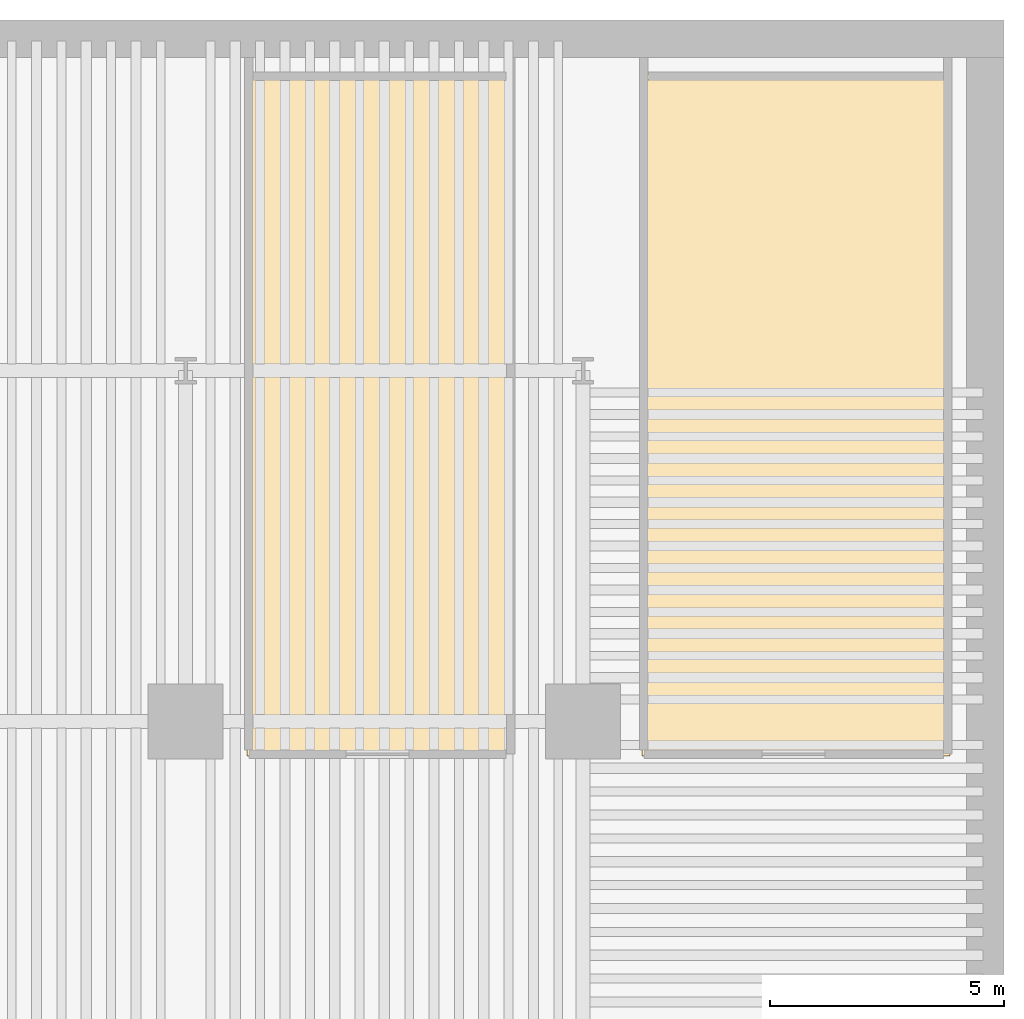
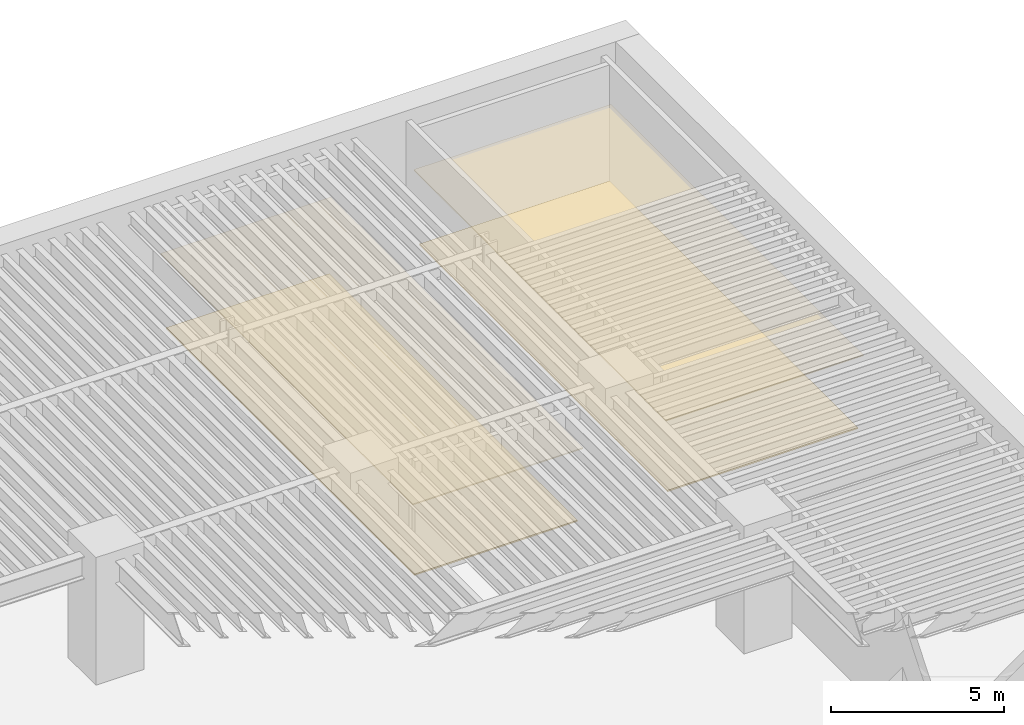
# One storey, part 9 of 9: 4 coverings.
"""IFC4 building model written with IfcOpenShell, lengths in metres."""

from ifc_helpers import new_model, si_unit, direction, frame, origin, place, context, subcontext, project, spatial, polyline, outline, extrude, material, layer, layer_set, type_object, element, save


model = new_model("IFC4")

# Units and contexts
model_context = context("Model", 3, precision=1e-05, world=origin(), true_north=direction((0.0, 1.0)))
body_context = subcontext(model_context, "Body", "Model", "MODEL_VIEW")
ifc_project = project(units=[si_unit("LENGTHUNIT", "METRE"), si_unit("AREAUNIT", "SQUARE_METRE"), si_unit("VOLUMEUNIT", "CUBIC_METRE"), si_unit("PLANEANGLEUNIT", "RADIAN"), si_unit("MASSUNIT", "GRAM", prefix="KILO")], contexts=[model_context])

# Site, building, storey
site_placement = place(None, origin())
site = spatial("IfcSite", under=ifc_project, at=site_placement, CompositionType="ELEMENT")
building_placement = place(site_placement, origin())
building = spatial("IfcBuilding", under=site, at=building_placement, Name="Caeloran Harvest Quay", CompositionType="ELEMENT")
storey_placement = place(building_placement, frame((0.0, 0.0, -9.0)))
storey = spatial("IfcBuildingStorey", under=building, at=storey_placement, Name="B02", CompositionType="ELEMENT", Elevation=-9.0)

# Coverings
ifc_material_1 = material(Name="Perforated Mineral-Fibre Acoustic Ceiling Tile", Category="ceiling")
ifc_layer_1 = layer(ifc_material_1, 0.0400390625, Name="Perforated Mineral-Fibre Acoustic Ceiling Tile")
ifc_layer_set_1 = layer_set([ifc_layer_1], Name="Perforated Mineral-Fibre Acoustic Ceiling Tile")
covering_type_1 = type_object("IfcCoveringType", Name="COV-CEILING-ACOUSTIC", PredefinedType="CEILING", material=ifc_layer_set_1)
covering_1_placement = place(storey_placement, frame((0.0, 0.0, 2.60009765625)))
element("IfcCovering", 1, at=covering_1_placement, inside=storey, type_object=covering_type_1, Name="Automated Harvest Crate Buffer Store Acoustic Ceiling", PredefinedType="CEILING", context=body_context, shape_type="SweptSolid", body=[
    extrude(outline(polyline([(58.840087890625, 44.840087890625), (58.840087890625, 30.260009765625), (52.260009765625, 30.260009765625), (52.260009765625, 44.840087890625), (58.840087890625, 44.840087890625)])), origin(), (0.0, 0.0, 1.0), 0.039794921875),
])
covering_2_placement = place(storey_placement, frame((0.0, 0.0, 2.60009765625)))
element("IfcCovering", 2, at=covering_2_placement, inside=storey, type_object=covering_type_1, Name="Sprinkler Fire-Pump and Transfer Tank Room Acoustic Ceiling", PredefinedType="CEILING", context=body_context, shape_type="SweptSolid", body=[
    extrude(outline(polyline([(49.489990234375, 44.840087890625), (49.489990234375, 30.260009765625), (43.81005859375, 30.260009765625), (43.81005859375, 44.840087890625), (49.489990234375, 44.840087890625)])), origin(), (0.0, 0.0, 1.0), 0.039794921875),
])
ifc_material_2 = material(Name="Calcium-Sulphate Raised Access Floor and Terrazzo Finish", Category="flooring")
ifc_layer_2 = layer(ifc_material_2, 0.050048828125, Name="Calcium-Sulphate Raised Access Floor and Terrazzo Finish")
ifc_layer_set_2 = layer_set([ifc_layer_2], Name="Calcium-Sulphate Raised Access Floor and Terrazzo Finish")
covering_type_2 = type_object("IfcCoveringType", Name="COV-FLOOR-RAISED", PredefinedType="FLOORING", material=ifc_layer_set_2)
covering_3_placement = place(storey_placement, origin())
element("IfcCovering", 3, at=covering_3_placement, inside=storey, type_object=covering_type_2, Name="Automated Harvest Crate Buffer Store Raised Finish Flooring", PredefinedType="FLOORING", context=body_context, shape_type="SweptSolid", body=[
    extrude(outline(polyline([(58.719970703125, 44.719970703125), (58.719970703125, 30.3798828125), (52.3798828125, 30.3798828125), (52.3798828125, 44.719970703125), (58.719970703125, 44.719970703125)])), origin(), (0.0, 0.0, 1.0), 0.050048828125),
])
covering_4_placement = place(storey_placement, origin())
element("IfcCovering", 4, at=covering_4_placement, inside=storey, type_object=covering_type_2, Name="Sprinkler Fire-Pump and Transfer Tank Room Raised Finish Flooring", PredefinedType="FLOORING", context=body_context, shape_type="SweptSolid", body=[
    extrude(outline(polyline([(49.3701171875, 44.719970703125), (49.3701171875, 30.3798828125), (43.929931640625, 30.3798828125), (43.929931640625, 44.719970703125), (49.3701171875, 44.719970703125)])), origin(), (0.0, 0.0, 1.0), 0.050048828125),
])

save(model, "model.ifc")
